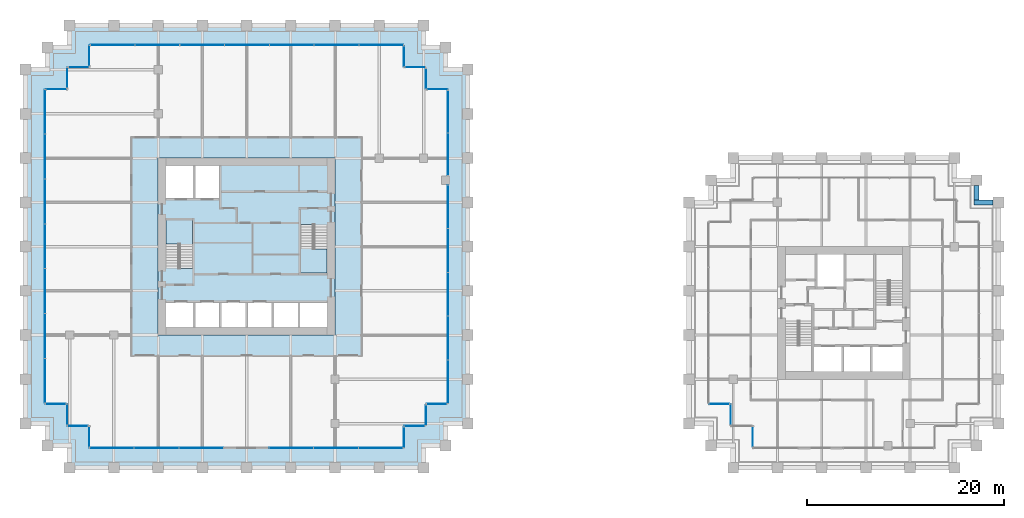
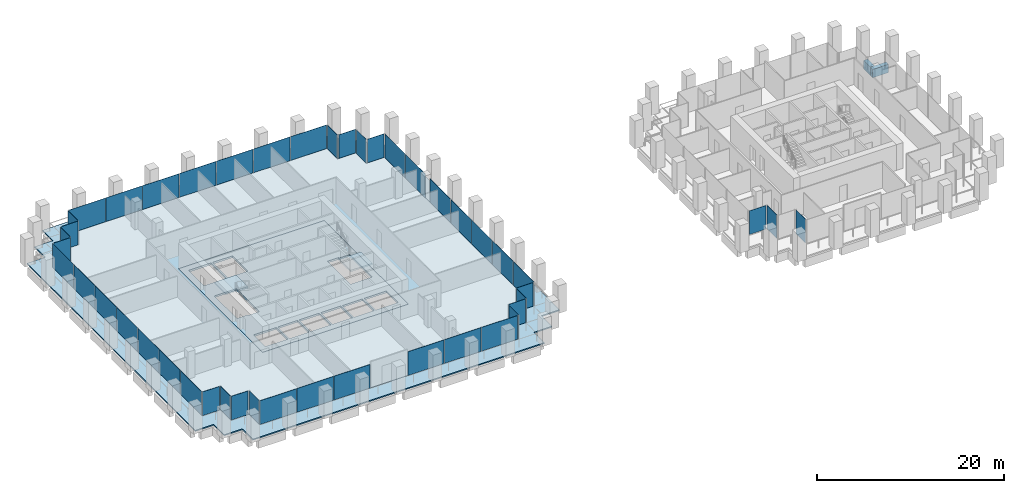
# One storey, part 48 of 56: 46 plates, 5 slabs, 2 beams, 27 elements without a shape of their own.
"""IFC4 building model written with IfcOpenShell, lengths in metres."""

from ifc_helpers import new_model, si_unit, direction, frame, origin, origin_2d, place, context, subcontext, project, spatial, polyline, rectangle, outline, extrude, material, layer, layer_set, material_profile, profile_set, type_object, element, aggregate, save


model = new_model("IFC4")

# Units and contexts
model_context = context("Model", 3, precision=1e-05, world=origin(), true_north=direction((0.0, 1.0)))
body_context = subcontext(model_context, "Body", "Model", "MODEL_VIEW")
ifc_project = project(units=[si_unit("LENGTHUNIT", "METRE"), si_unit("AREAUNIT", "SQUARE_METRE"), si_unit("VOLUMEUNIT", "CUBIC_METRE"), si_unit("PLANEANGLEUNIT", "RADIAN"), si_unit("MASSUNIT", "GRAM", prefix="KILO")], contexts=[model_context])

# Site, building, storey
site_placement = place(None, origin())
site = spatial("IfcSite", under=ifc_project, at=site_placement, CompositionType="ELEMENT")
building_placement = place(site_placement, origin())
building = spatial("IfcBuilding", under=site, at=building_placement, Name="Altepetl Exchange Towers", CompositionType="ELEMENT")
storey_placement = place(building_placement, frame((0.0, 0.0, 51.0)))
storey = spatial("IfcBuildingStorey", under=building, at=storey_placement, Name="L11", CompositionType="ELEMENT", Elevation=51.0)

# Beams
ifc_material_1 = material(Name="Concrete C50/60 precast with cantera amarilla facing", Category="concrete")
ifc_material_profile = material_profile(ifc_material_1, rectangle(XDim=0.5, YDim=1.10009765625, at=origin_2d()), Name="500 x 1100")
ifc_profile_set = profile_set([ifc_material_profile], Name="Concrete C50/60 precast with cantera amarilla facing")
beam_type = type_object("IfcBeamType", Name="Spandrel beam 500x1100 cantera amarilla", PredefinedType="SPANDREL", material=ifc_profile_set)
beam_1_placement = place(storey_placement, frame((125.449951171875, 54.0, -0.699951171875), z_axis=(-1.0, 0.0, 0.0), x_axis=(0.0, -1.0, 0.0)))
element("IfcBeam", 1, at=beam_1_placement, inside=storey, type_object=beam_type, Name="sp:B:L11:014", PredefinedType="SPANDREL", context=body_context, shape_type="SweptSolid", body=[
    extrude(rectangle(XDim=0.5, YDim=1.10009765625, at=origin_2d()), origin(), (0.0, 0.0, 1.0), 1.949951171875),
])
beam_2_placement = place(storey_placement, frame((123.75, 54.25, -0.699951171875), z_axis=(0.0, 1.0, 0.0), x_axis=(-1.0, 0.0, 0.0)))
element("IfcBeam", 2, at=beam_2_placement, inside=storey, type_object=beam_type, Name="sp:B:L11:015", PredefinedType="SPANDREL", context=body_context, shape_type="SweptSolid", body=[
    extrude(rectangle(XDim=0.5, YDim=1.10009765625, at=origin_2d()), origin(), (0.0, 0.0, 1.0), 1.449951171875),
])

# Slabs
ifc_material_2 = material(Name="Concrete C40/50", Category="concrete")
ifc_layer_1 = layer(ifc_material_2, 0.14990234375)
ifc_layer_set_1 = layer_set([ifc_layer_1], Name="Concrete C40/50")
slab_type_1 = type_object("IfcSlabType", Name="Composite floor slab 150", PredefinedType="FLOOR", material=ifc_layer_set_1)
slab_1_placement = place(storey_placement, frame((0.0, 0.0, -0.14990234375)))
element("IfcSlab", 3, at=slab_1_placement, inside=storey, type_object=slab_type_1, Name="slab:A:L11:strip0", PredefinedType="FLOOR", context=body_context, shape_type="SweptSolid", body=[
    extrude(outline(polyline([(31.25, 67.75), (31.25, 65.5), (29.0, 65.5), (29.0, 33.5), (31.25, 33.5), (31.25, 31.25), (33.5, 31.25), (33.5, 29.0), (65.5, 29.0), (65.5, 31.25), (67.75, 31.25), (67.75, 33.5), (70.0, 33.5), (70.0, 65.5), (67.75, 65.5), (67.75, 67.75), (65.5, 67.75), (65.5, 70.0), (33.5, 70.0), (33.5, 67.75), (31.25, 67.75)]), holes=[polyline([(58.5, 58.5), (58.5, 40.5), (40.5, 40.5), (40.5, 58.5), (58.5, 58.5)])]), origin(), (0.0, 0.0, 1.0), 0.14990234375),
])
ifc_layer_2 = layer(ifc_material_2, 0.25)
ifc_layer_set_2 = layer_set([ifc_layer_2], Name="Concrete C40/50")
slab_type_2 = type_object("IfcSlabType", Name="Core floor slab 250", PredefinedType="FLOOR", material=ifc_layer_set_2)
slab_2_placement = place(storey_placement, frame((0.0, 0.0, -0.25)))
element("IfcSlab", 4, at=slab_2_placement, inside=storey, type_object=slab_type_2, Name="slab:A:L11:core0", PredefinedType="FLOOR", context=body_context, shape_type="SweptSolid", body=[
    extrude(outline(polyline([(40.5, 40.5), (58.5, 40.5), (58.5, 58.5), (40.5, 58.5), (40.5, 40.5)]), holes=[polyline([(41.300048828125, 43.800048828125), (44.06689453125, 43.800048828125), (44.06689453125, 41.300048828125), (41.300048828125, 41.300048828125), (41.300048828125, 43.800048828125)]), polyline([(44.26708984375, 43.800048828125), (46.73291015625, 43.800048828125), (46.73291015625, 41.300048828125), (44.26708984375, 41.300048828125), (44.26708984375, 43.800048828125)]), polyline([(46.93310546875, 43.800048828125), (49.39990234375, 43.800048828125), (49.39990234375, 41.300048828125), (46.93310546875, 41.300048828125), (46.93310546875, 43.800048828125)]), polyline([(52.06689453125, 43.800048828125), (52.06689453125, 41.300048828125), (49.60009765625, 41.300048828125), (49.60009765625, 43.800048828125), (52.06689453125, 43.800048828125)]), polyline([(54.73291015625, 43.800048828125), (54.73291015625, 41.300048828125), (52.26708984375, 41.300048828125), (52.26708984375, 43.800048828125), (54.73291015625, 43.800048828125)]), polyline([(54.93310546875, 43.800048828125), (57.699951171875, 43.800048828125), (57.699951171875, 41.300048828125), (54.93310546875, 41.300048828125), (54.93310546875, 43.800048828125)]), polyline([(55.0, 51.7490234375), (56.39990234375, 51.7490234375), (56.39990234375, 51.64990234375), (57.699951171875, 51.64990234375), (57.699951171875, 46.800048828125), (55.0, 46.800048828125), (55.0, 51.7490234375)]), polyline([(44.0, 47.2509765625), (42.60009765625, 47.2509765625), (42.60009765625, 47.35009765625), (41.300048828125, 47.35009765625), (41.300048828125, 52.199951171875), (44.0, 52.199951171875), (44.0, 47.2509765625)]), polyline([(44.06689453125, 57.699951171875), (44.06689453125, 54.39990234375), (41.300048828125, 54.39990234375), (41.300048828125, 57.699951171875), (44.06689453125, 57.699951171875)]), polyline([(46.73291015625, 57.699951171875), (46.73291015625, 54.39990234375), (44.26708984375, 54.39990234375), (44.26708984375, 57.699951171875), (46.73291015625, 57.699951171875)])]), origin(), (0.0, 0.0, 1.0), 0.25),
])

# Curtain wall, plate
ifc_material_3 = material(Name="Aluminium 6063-T6 glazing", Category="aluminium")
curtain_wall_type = type_object("IfcCurtainWallType", Name="Loggia glazing system", PredefinedType="NOTDEFINED", material=ifc_material_3)
curtain_wall_1_placement = place(storey_placement, origin())
curtain_wall_1 = element("IfcCurtainWall", 5, at=curtain_wall_1_placement, inside=storey, type_object=curtain_wall_type, Name="CW1 run", PredefinedType="NOTDEFINED")
ifc_material_4 = material(Name="Glass 6-16-6 low emissivity", Category="glass")
ifc_layer_3 = layer(ifc_material_4, 0.028076171875)
ifc_layer_set_3 = layer_set([ifc_layer_3], Name="Glass 6-16-6 low emissivity")
plate_type = type_object("IfcPlateType", Name="Glass panel 28 double glazed", PredefinedType="CURTAIN_PANEL", material=ifc_layer_set_3)
plate_1_placement = place(storey_placement, frame((30.16259765625, 65.5, 0.0), z_axis=(0.0, 0.0, 1.0), x_axis=(-1.0, 0.0, 0.0)))
plate_1 = element("IfcPlate", 6, at=plate_1_placement, type_object=plate_type, Name="GP1 panel", PredefinedType="CURTAIN_PANEL", context=body_context, shape_type="SweptSolid", body=[
    extrude(rectangle(XDim=2.054931640625, YDim=0.028076171875, at=origin_2d()), origin(), (0.0, 0.0, 1.0), 3.10009765625),
])
aggregate(curtain_wall_1, [plate_1])

# Curtain wall, plates
curtain_wall_2_placement = place(storey_placement, origin())
curtain_wall_2 = element("IfcCurtainWall", 7, at=curtain_wall_2_placement, inside=storey, type_object=curtain_wall_type, Name="CW1 run", PredefinedType="NOTDEFINED")
plate_2_placement = place(storey_placement, frame((29.0, 63.20458984375, 0.0), z_axis=(0.0, 0.0, 1.0), x_axis=(0.0, -1.0, 0.0)))
plate_2 = element("IfcPlate", 8, at=plate_2_placement, type_object=plate_type, Name="GP1 panel", PredefinedType="CURTAIN_PANEL", context=body_context, shape_type="SweptSolid", body=[
    extrude(rectangle(XDim=4.470703125, YDim=0.028076171875, at=origin_2d()), origin(), (0.0, 0.0, 1.0), 3.10009765625),
])
plate_3_placement = place(storey_placement, frame((29.0, 58.658935546875, 0.0), z_axis=(0.0, 0.0, 1.0), x_axis=(0.0, -1.0, 0.0)))
plate_3 = element("IfcPlate", 9, at=plate_3_placement, type_object=plate_type, Name="GP1 panel", PredefinedType="CURTAIN_PANEL", context=body_context, shape_type="SweptSolid", body=[
    extrude(rectangle(XDim=4.500732421875, YDim=0.028076171875, at=origin_2d()), origin(), (0.0, 0.0, 1.0), 3.10009765625),
])
plate_4_placement = place(storey_placement, frame((29.0, 54.09814453125, 0.0), z_axis=(0.0, 0.0, 1.0), x_axis=(0.0, -1.0, 0.0)))
plate_4 = element("IfcPlate", 10, at=plate_4_placement, type_object=plate_type, Name="GP1 panel", PredefinedType="CURTAIN_PANEL", context=body_context, shape_type="SweptSolid", body=[
    extrude(rectangle(XDim=4.500732421875, YDim=0.028076171875, at=origin_2d()), origin(), (0.0, 0.0, 1.0), 3.10009765625),
])
plate_5_placement = place(storey_placement, frame((29.0, 49.53759765625, 0.0), z_axis=(0.0, 0.0, 1.0), x_axis=(0.0, -1.0, 0.0)))
plate_5 = element("IfcPlate", 11, at=plate_5_placement, type_object=plate_type, Name="GP1 panel", PredefinedType="CURTAIN_PANEL", context=body_context, shape_type="SweptSolid", body=[
    extrude(rectangle(XDim=4.500732421875, YDim=0.028076171875, at=origin_2d()), origin(), (0.0, 0.0, 1.0), 3.10009765625),
])
plate_6_placement = place(storey_placement, frame((29.0, 44.976806640625, 0.0), z_axis=(0.0, 0.0, 1.0), x_axis=(0.0, -1.0, 0.0)))
plate_6 = element("IfcPlate", 12, at=plate_6_placement, type_object=plate_type, Name="GP1 panel", PredefinedType="CURTAIN_PANEL", context=body_context, shape_type="SweptSolid", body=[
    extrude(rectangle(XDim=4.500732421875, YDim=0.028076171875, at=origin_2d()), origin(), (0.0, 0.0, 1.0), 3.10009765625),
])
plate_7_placement = place(storey_placement, frame((29.0, 40.416015625, 0.0), z_axis=(0.0, 0.0, 1.0), x_axis=(0.0, -1.0, 0.0)))
plate_7 = element("IfcPlate", 13, at=plate_7_placement, type_object=plate_type, Name="GP1 panel", PredefinedType="CURTAIN_PANEL", context=body_context, shape_type="SweptSolid", body=[
    extrude(rectangle(XDim=4.500732421875, YDim=0.028076171875, at=origin_2d()), origin(), (0.0, 0.0, 1.0), 3.10009765625),
])
plate_8_placement = place(storey_placement, frame((29.0, 35.870361328125, 0.0), z_axis=(0.0, 0.0, 1.0), x_axis=(0.0, -1.0, 0.0)))
plate_8 = element("IfcPlate", 14, at=plate_8_placement, type_object=plate_type, Name="GP1 panel", PredefinedType="CURTAIN_PANEL", context=body_context, shape_type="SweptSolid", body=[
    extrude(rectangle(XDim=4.470703125, YDim=0.028076171875, at=origin_2d()), origin(), (0.0, 0.0, 1.0), 3.10009765625),
])
aggregate(curtain_wall_2, [plate_2, plate_3, plate_4, plate_5, plate_6, plate_7, plate_8])

# Curtain wall, plate
curtain_wall_3_placement = place(storey_placement, origin())
curtain_wall_3 = element("IfcCurtainWall", 15, at=curtain_wall_3_placement, inside=storey, type_object=curtain_wall_type, Name="CW1 run", PredefinedType="NOTDEFINED")
plate_9_placement = place(storey_placement, frame((30.08740234375, 33.5, 0.0)))
plate_9 = element("IfcPlate", 16, at=plate_9_placement, type_object=plate_type, Name="GP1 panel", PredefinedType="CURTAIN_PANEL", context=body_context, shape_type="SweptSolid", body=[
    extrude(rectangle(XDim=2.054931640625, YDim=0.028076171875, at=origin_2d()), origin(), (0.0, 0.0, 1.0), 3.10009765625),
])
aggregate(curtain_wall_3, [plate_9])

curtain_wall_4_placement = place(storey_placement, origin())
curtain_wall_4 = element("IfcCurtainWall", 17, at=curtain_wall_4_placement, inside=storey, type_object=curtain_wall_type, Name="CW1 run", PredefinedType="NOTDEFINED")
plate_10_placement = place(storey_placement, frame((31.25, 32.41259765625, 0.0), z_axis=(0.0, 0.0, 1.0), x_axis=(0.0, -1.0, 0.0)))
plate_10 = element("IfcPlate", 18, at=plate_10_placement, type_object=plate_type, Name="GP1 panel", PredefinedType="CURTAIN_PANEL", context=body_context, shape_type="SweptSolid", body=[
    extrude(rectangle(XDim=2.054931640625, YDim=0.028076171875, at=origin_2d()), origin(), (0.0, 0.0, 1.0), 3.10009765625),
])
aggregate(curtain_wall_4, [plate_10])

curtain_wall_5_placement = place(storey_placement, origin())
curtain_wall_5 = element("IfcCurtainWall", 19, at=curtain_wall_5_placement, inside=storey, type_object=curtain_wall_type, Name="CW1 run", PredefinedType="NOTDEFINED")
plate_11_placement = place(storey_placement, frame((32.33740234375, 31.25, 0.0)))
plate_11 = element("IfcPlate", 20, at=plate_11_placement, type_object=plate_type, Name="GP1 panel", PredefinedType="CURTAIN_PANEL", context=body_context, shape_type="SweptSolid", body=[
    extrude(rectangle(XDim=2.054931640625, YDim=0.028076171875, at=origin_2d()), origin(), (0.0, 0.0, 1.0), 3.10009765625),
])
aggregate(curtain_wall_5, [plate_11])

curtain_wall_6_placement = place(storey_placement, origin())
curtain_wall_6 = element("IfcCurtainWall", 21, at=curtain_wall_6_placement, inside=storey, type_object=curtain_wall_type, Name="CW1 run", PredefinedType="NOTDEFINED")
plate_12_placement = place(storey_placement, frame((33.5, 30.16259765625, 0.0), z_axis=(0.0, 0.0, 1.0), x_axis=(0.0, -1.0, 0.0)))
plate_12 = element("IfcPlate", 22, at=plate_12_placement, type_object=plate_type, Name="GP1 panel", PredefinedType="CURTAIN_PANEL", context=body_context, shape_type="SweptSolid", body=[
    extrude(rectangle(XDim=2.054931640625, YDim=0.028076171875, at=origin_2d()), origin(), (0.0, 0.0, 1.0), 3.10009765625),
])
aggregate(curtain_wall_6, [plate_12])

# Curtain wall, plates
curtain_wall_7_placement = place(storey_placement, origin())
curtain_wall_7 = element("IfcCurtainWall", 23, at=curtain_wall_7_placement, inside=storey, type_object=curtain_wall_type, Name="CW1 run", PredefinedType="NOTDEFINED")
plate_13_placement = place(storey_placement, frame((35.79541015625, 29.0, 0.0)))
plate_13 = element("IfcPlate", 24, at=plate_13_placement, type_object=plate_type, Name="GP1 panel", PredefinedType="CURTAIN_PANEL", context=body_context, shape_type="SweptSolid", body=[
    extrude(rectangle(XDim=4.470703125, YDim=0.028076171875, at=origin_2d()), origin(), (0.0, 0.0, 1.0), 3.10009765625),
])
plate_14_placement = place(storey_placement, frame((40.341064453125, 29.0, 0.0)))
plate_14 = element("IfcPlate", 25, at=plate_14_placement, type_object=plate_type, Name="GP1 panel", PredefinedType="CURTAIN_PANEL", context=body_context, shape_type="SweptSolid", body=[
    extrude(rectangle(XDim=4.500732421875, YDim=0.028076171875, at=origin_2d()), origin(), (0.0, 0.0, 1.0), 3.10009765625),
])
plate_15_placement = place(storey_placement, frame((44.88671875, 29.0, 0.0)))
plate_15 = element("IfcPlate", 26, at=plate_15_placement, type_object=plate_type, Name="GP1 panel", PredefinedType="CURTAIN_PANEL", context=body_context, shape_type="SweptSolid", body=[
    extrude(rectangle(XDim=4.470703125, YDim=0.028076171875, at=origin_2d()), origin(), (0.0, 0.0, 1.0), 3.10009765625),
])
aggregate(curtain_wall_7, [plate_13, plate_14, plate_15])

curtain_wall_8_placement = place(storey_placement, origin())
curtain_wall_8 = element("IfcCurtainWall", 27, at=curtain_wall_8_placement, inside=storey, type_object=curtain_wall_type, Name="CW1 run", PredefinedType="NOTDEFINED")
plate_16_placement = place(storey_placement, frame((54.038330078125, 29.0, 0.0)))
plate_16 = element("IfcPlate", 28, at=plate_16_placement, type_object=plate_type, Name="GP1 panel", PredefinedType="CURTAIN_PANEL", context=body_context, shape_type="SweptSolid", body=[
    extrude(rectangle(XDim=4.470703125, YDim=0.028076171875, at=origin_2d()), origin(), (0.0, 0.0, 1.0), 3.10009765625),
])
plate_17_placement = place(storey_placement, frame((58.583984375, 29.0, 0.0)))
plate_17 = element("IfcPlate", 29, at=plate_17_placement, type_object=plate_type, Name="GP1 panel", PredefinedType="CURTAIN_PANEL", context=body_context, shape_type="SweptSolid", body=[
    extrude(rectangle(XDim=4.500732421875, YDim=0.028076171875, at=origin_2d()), origin(), (0.0, 0.0, 1.0), 3.10009765625),
])
plate_18_placement = place(storey_placement, frame((63.129638671875, 29.0, 0.0)))
plate_18 = element("IfcPlate", 30, at=plate_18_placement, type_object=plate_type, Name="GP1 panel", PredefinedType="CURTAIN_PANEL", context=body_context, shape_type="SweptSolid", body=[
    extrude(rectangle(XDim=4.470703125, YDim=0.028076171875, at=origin_2d()), origin(), (0.0, 0.0, 1.0), 3.10009765625),
])
aggregate(curtain_wall_8, [plate_16, plate_17, plate_18])

# Curtain wall, plate
curtain_wall_9_placement = place(storey_placement, origin())
curtain_wall_9 = element("IfcCurtainWall", 31, at=curtain_wall_9_placement, inside=storey, type_object=curtain_wall_type, Name="CW1 run", PredefinedType="NOTDEFINED")
plate_19_placement = place(storey_placement, frame((65.5, 30.08740234375, 0.0), z_axis=(0.0, 0.0, 1.0), x_axis=(0.0, 1.0, 0.0)))
plate_19 = element("IfcPlate", 32, at=plate_19_placement, type_object=plate_type, Name="GP1 panel", PredefinedType="CURTAIN_PANEL", context=body_context, shape_type="SweptSolid", body=[
    extrude(rectangle(XDim=2.054931640625, YDim=0.028076171875, at=origin_2d()), origin(), (0.0, 0.0, 1.0), 3.10009765625),
])
aggregate(curtain_wall_9, [plate_19])

curtain_wall_10_placement = place(storey_placement, origin())
curtain_wall_10 = element("IfcCurtainWall", 33, at=curtain_wall_10_placement, inside=storey, type_object=curtain_wall_type, Name="CW1 run", PredefinedType="NOTDEFINED")
plate_20_placement = place(storey_placement, frame((66.58740234375, 31.25, 0.0)))
plate_20 = element("IfcPlate", 34, at=plate_20_placement, type_object=plate_type, Name="GP1 panel", PredefinedType="CURTAIN_PANEL", context=body_context, shape_type="SweptSolid", body=[
    extrude(rectangle(XDim=2.054931640625, YDim=0.028076171875, at=origin_2d()), origin(), (0.0, 0.0, 1.0), 3.10009765625),
])
aggregate(curtain_wall_10, [plate_20])

curtain_wall_11_placement = place(storey_placement, origin())
curtain_wall_11 = element("IfcCurtainWall", 35, at=curtain_wall_11_placement, inside=storey, type_object=curtain_wall_type, Name="CW1 run", PredefinedType="NOTDEFINED")
plate_21_placement = place(storey_placement, frame((67.75, 32.33740234375, 0.0), z_axis=(0.0, 0.0, 1.0), x_axis=(0.0, 1.0, 0.0)))
plate_21 = element("IfcPlate", 36, at=plate_21_placement, type_object=plate_type, Name="GP1 panel", PredefinedType="CURTAIN_PANEL", context=body_context, shape_type="SweptSolid", body=[
    extrude(rectangle(XDim=2.054931640625, YDim=0.028076171875, at=origin_2d()), origin(), (0.0, 0.0, 1.0), 3.10009765625),
])
aggregate(curtain_wall_11, [plate_21])

curtain_wall_12_placement = place(storey_placement, origin())
curtain_wall_12 = element("IfcCurtainWall", 37, at=curtain_wall_12_placement, inside=storey, type_object=curtain_wall_type, Name="CW1 run", PredefinedType="NOTDEFINED")
plate_22_placement = place(storey_placement, frame((68.83740234375, 33.5, 0.0)))
plate_22 = element("IfcPlate", 38, at=plate_22_placement, type_object=plate_type, Name="GP1 panel", PredefinedType="CURTAIN_PANEL", context=body_context, shape_type="SweptSolid", body=[
    extrude(rectangle(XDim=2.054931640625, YDim=0.028076171875, at=origin_2d()), origin(), (0.0, 0.0, 1.0), 3.10009765625),
])
aggregate(curtain_wall_12, [plate_22])

# Curtain wall, plates
curtain_wall_13_placement = place(storey_placement, origin())
curtain_wall_13 = element("IfcCurtainWall", 39, at=curtain_wall_13_placement, inside=storey, type_object=curtain_wall_type, Name="CW1 run", PredefinedType="NOTDEFINED")
plate_23_placement = place(storey_placement, frame((70.0, 35.74560546875, 0.0), z_axis=(0.0, 0.0, 1.0), x_axis=(0.0, 1.0, 0.0)))
plate_23 = element("IfcPlate", 40, at=plate_23_placement, type_object=plate_type, Name="GP1 panel", PredefinedType="CURTAIN_PANEL", context=body_context, shape_type="SweptSolid", body=[
    extrude(rectangle(XDim=4.37109375, YDim=0.028076171875, at=origin_2d()), origin(), (0.0, 0.0, 1.0), 3.10009765625),
])
plate_24_placement = place(storey_placement, frame((70.0, 40.19140625, 0.0), z_axis=(0.0, 0.0, 1.0), x_axis=(0.0, 1.0, 0.0)))
plate_24 = element("IfcPlate", 41, at=plate_24_placement, type_object=plate_type, Name="GP1 panel", PredefinedType="CURTAIN_PANEL", context=body_context, shape_type="SweptSolid", body=[
    extrude(rectangle(XDim=4.40087890625, YDim=0.028076171875, at=origin_2d()), origin(), (0.0, 0.0, 1.0), 3.10009765625),
])
plate_25_placement = place(storey_placement, frame((70.0, 44.652587890625, 0.0), z_axis=(0.0, 0.0, 1.0), x_axis=(0.0, 1.0, 0.0)))
plate_25 = element("IfcPlate", 42, at=plate_25_placement, type_object=plate_type, Name="GP1 panel", PredefinedType="CURTAIN_PANEL", context=body_context, shape_type="SweptSolid", body=[
    extrude(rectangle(XDim=4.40087890625, YDim=0.028076171875, at=origin_2d()), origin(), (0.0, 0.0, 1.0), 3.10009765625),
])
plate_26_placement = place(storey_placement, frame((70.0, 49.113525390625, 0.0), z_axis=(0.0, 0.0, 1.0), x_axis=(0.0, 1.0, 0.0)))
plate_26 = element("IfcPlate", 43, at=plate_26_placement, type_object=plate_type, Name="GP1 panel", PredefinedType="CURTAIN_PANEL", context=body_context, shape_type="SweptSolid", body=[
    extrude(rectangle(XDim=4.40087890625, YDim=0.028076171875, at=origin_2d()), origin(), (0.0, 0.0, 1.0), 3.10009765625),
])
plate_27_placement = place(storey_placement, frame((70.0, 53.5595703125, 0.0), z_axis=(0.0, 0.0, 1.0), x_axis=(0.0, 1.0, 0.0)))
plate_27 = element("IfcPlate", 44, at=plate_27_placement, type_object=plate_type, Name="GP1 panel", PredefinedType="CURTAIN_PANEL", context=body_context, shape_type="SweptSolid", body=[
    extrude(rectangle(XDim=4.37109375, YDim=0.028076171875, at=origin_2d()), origin(), (0.0, 0.0, 1.0), 3.10009765625),
])
aggregate(curtain_wall_13, [plate_23, plate_24, plate_25, plate_26, plate_27])

curtain_wall_14_placement = place(storey_placement, origin())
curtain_wall_14 = element("IfcCurtainWall", 45, at=curtain_wall_14_placement, inside=storey, type_object=curtain_wall_type, Name="CW1 run", PredefinedType="NOTDEFINED")
plate_28_placement = place(storey_placement, frame((70.0, 58.892578125, 0.0), z_axis=(0.0, 0.0, 1.0), x_axis=(0.0, 1.0, 0.0)))
plate_28 = element("IfcPlate", 46, at=plate_28_placement, type_object=plate_type, Name="GP1 panel", PredefinedType="CURTAIN_PANEL", context=body_context, shape_type="SweptSolid", body=[
    extrude(rectangle(XDim=4.27490234375, YDim=0.028076171875, at=origin_2d()), origin(), (0.0, 0.0, 1.0), 3.10009765625),
])
plate_29_placement = place(storey_placement, frame((70.0, 63.2275390625, 0.0), z_axis=(0.0, 0.0, 1.0), x_axis=(0.0, 1.0, 0.0)))
plate_29 = element("IfcPlate", 47, at=plate_29_placement, type_object=plate_type, Name="GP1 panel", PredefinedType="CURTAIN_PANEL", context=body_context, shape_type="SweptSolid", body=[
    extrude(rectangle(XDim=4.27490234375, YDim=0.028076171875, at=origin_2d()), origin(), (0.0, 0.0, 1.0), 3.10009765625),
])
aggregate(curtain_wall_14, [plate_28, plate_29])

# Curtain wall, plate
curtain_wall_15_placement = place(storey_placement, origin())
curtain_wall_15 = element("IfcCurtainWall", 48, at=curtain_wall_15_placement, inside=storey, type_object=curtain_wall_type, Name="CW1 run", PredefinedType="NOTDEFINED")
plate_30_placement = place(storey_placement, frame((68.91259765625, 65.5, 0.0), z_axis=(0.0, 0.0, 1.0), x_axis=(-1.0, 0.0, 0.0)))
plate_30 = element("IfcPlate", 49, at=plate_30_placement, type_object=plate_type, Name="GP1 panel", PredefinedType="CURTAIN_PANEL", context=body_context, shape_type="SweptSolid", body=[
    extrude(rectangle(XDim=2.054931640625, YDim=0.028076171875, at=origin_2d()), origin(), (0.0, 0.0, 1.0), 3.10009765625),
])
aggregate(curtain_wall_15, [plate_30])

curtain_wall_16_placement = place(storey_placement, origin())
curtain_wall_16 = element("IfcCurtainWall", 50, at=curtain_wall_16_placement, inside=storey, type_object=curtain_wall_type, Name="CW1 run", PredefinedType="NOTDEFINED")
plate_31_placement = place(storey_placement, frame((67.75, 66.58740234375, 0.0), z_axis=(0.0, 0.0, 1.0), x_axis=(0.0, 1.0, 0.0)))
plate_31 = element("IfcPlate", 51, at=plate_31_placement, type_object=plate_type, Name="GP1 panel", PredefinedType="CURTAIN_PANEL", context=body_context, shape_type="SweptSolid", body=[
    extrude(rectangle(XDim=2.054931640625, YDim=0.028076171875, at=origin_2d()), origin(), (0.0, 0.0, 1.0), 3.10009765625),
])
aggregate(curtain_wall_16, [plate_31])

curtain_wall_17_placement = place(storey_placement, origin())
curtain_wall_17 = element("IfcCurtainWall", 52, at=curtain_wall_17_placement, inside=storey, type_object=curtain_wall_type, Name="CW1 run", PredefinedType="NOTDEFINED")
plate_32_placement = place(storey_placement, frame((66.66259765625, 67.75, 0.0), z_axis=(0.0, 0.0, 1.0), x_axis=(-1.0, 0.0, 0.0)))
plate_32 = element("IfcPlate", 53, at=plate_32_placement, type_object=plate_type, Name="GP1 panel", PredefinedType="CURTAIN_PANEL", context=body_context, shape_type="SweptSolid", body=[
    extrude(rectangle(XDim=2.054931640625, YDim=0.028076171875, at=origin_2d()), origin(), (0.0, 0.0, 1.0), 3.10009765625),
])
aggregate(curtain_wall_17, [plate_32])

curtain_wall_18_placement = place(storey_placement, origin())
curtain_wall_18 = element("IfcCurtainWall", 54, at=curtain_wall_18_placement, inside=storey, type_object=curtain_wall_type, Name="CW1 run", PredefinedType="NOTDEFINED")
plate_33_placement = place(storey_placement, frame((65.5, 68.83740234375, 0.0), z_axis=(0.0, 0.0, 1.0), x_axis=(0.0, 1.0, 0.0)))
plate_33 = element("IfcPlate", 55, at=plate_33_placement, type_object=plate_type, Name="GP1 panel", PredefinedType="CURTAIN_PANEL", context=body_context, shape_type="SweptSolid", body=[
    extrude(rectangle(XDim=2.054931640625, YDim=0.028076171875, at=origin_2d()), origin(), (0.0, 0.0, 1.0), 3.10009765625),
])
aggregate(curtain_wall_18, [plate_33])

# Curtain wall, plates
curtain_wall_19_placement = place(storey_placement, origin())
curtain_wall_19 = element("IfcCurtainWall", 56, at=curtain_wall_19_placement, inside=storey, type_object=curtain_wall_type, Name="CW1 run", PredefinedType="NOTDEFINED")
plate_34_placement = place(storey_placement, frame((63.20458984375, 70.0, 0.0), z_axis=(0.0, 0.0, 1.0), x_axis=(-1.0, 0.0, 0.0)))
plate_34 = element("IfcPlate", 57, at=plate_34_placement, type_object=plate_type, Name="GP1 panel", PredefinedType="CURTAIN_PANEL", context=body_context, shape_type="SweptSolid", body=[
    extrude(rectangle(XDim=4.470703125, YDim=0.028076171875, at=origin_2d()), origin(), (0.0, 0.0, 1.0), 3.10009765625),
])
plate_35_placement = place(storey_placement, frame((58.658935546875, 70.0, 0.0), z_axis=(0.0, 0.0, 1.0), x_axis=(-1.0, 0.0, 0.0)))
plate_35 = element("IfcPlate", 58, at=plate_35_placement, type_object=plate_type, Name="GP1 panel", PredefinedType="CURTAIN_PANEL", context=body_context, shape_type="SweptSolid", body=[
    extrude(rectangle(XDim=4.500732421875, YDim=0.028076171875, at=origin_2d()), origin(), (0.0, 0.0, 1.0), 3.10009765625),
])
plate_36_placement = place(storey_placement, frame((54.09814453125, 70.0, 0.0), z_axis=(0.0, 0.0, 1.0), x_axis=(-1.0, 0.0, 0.0)))
plate_36 = element("IfcPlate", 59, at=plate_36_placement, type_object=plate_type, Name="GP1 panel", PredefinedType="CURTAIN_PANEL", context=body_context, shape_type="SweptSolid", body=[
    extrude(rectangle(XDim=4.500732421875, YDim=0.028076171875, at=origin_2d()), origin(), (0.0, 0.0, 1.0), 3.10009765625),
])
plate_37_placement = place(storey_placement, frame((49.53759765625, 70.0, 0.0), z_axis=(0.0, 0.0, 1.0), x_axis=(-1.0, 0.0, 0.0)))
plate_37 = element("IfcPlate", 60, at=plate_37_placement, type_object=plate_type, Name="GP1 panel", PredefinedType="CURTAIN_PANEL", context=body_context, shape_type="SweptSolid", body=[
    extrude(rectangle(XDim=4.500732421875, YDim=0.028076171875, at=origin_2d()), origin(), (0.0, 0.0, 1.0), 3.10009765625),
])
plate_38_placement = place(storey_placement, frame((44.976806640625, 70.0, 0.0), z_axis=(0.0, 0.0, 1.0), x_axis=(-1.0, 0.0, 0.0)))
plate_38 = element("IfcPlate", 61, at=plate_38_placement, type_object=plate_type, Name="GP1 panel", PredefinedType="CURTAIN_PANEL", context=body_context, shape_type="SweptSolid", body=[
    extrude(rectangle(XDim=4.500732421875, YDim=0.028076171875, at=origin_2d()), origin(), (0.0, 0.0, 1.0), 3.10009765625),
])
plate_39_placement = place(storey_placement, frame((40.416015625, 70.0, 0.0), z_axis=(0.0, 0.0, 1.0), x_axis=(-1.0, 0.0, 0.0)))
plate_39 = element("IfcPlate", 62, at=plate_39_placement, type_object=plate_type, Name="GP1 panel", PredefinedType="CURTAIN_PANEL", context=body_context, shape_type="SweptSolid", body=[
    extrude(rectangle(XDim=4.500732421875, YDim=0.028076171875, at=origin_2d()), origin(), (0.0, 0.0, 1.0), 3.10009765625),
])
plate_40_placement = place(storey_placement, frame((35.870361328125, 70.0, 0.0), z_axis=(0.0, 0.0, 1.0), x_axis=(-1.0, 0.0, 0.0)))
plate_40 = element("IfcPlate", 63, at=plate_40_placement, type_object=plate_type, Name="GP1 panel", PredefinedType="CURTAIN_PANEL", context=body_context, shape_type="SweptSolid", body=[
    extrude(rectangle(XDim=4.470703125, YDim=0.028076171875, at=origin_2d()), origin(), (0.0, 0.0, 1.0), 3.10009765625),
])
aggregate(curtain_wall_19, [plate_34, plate_35, plate_36, plate_37, plate_38, plate_39, plate_40])

# Curtain wall, plate
curtain_wall_20_placement = place(storey_placement, origin())
curtain_wall_20 = element("IfcCurtainWall", 64, at=curtain_wall_20_placement, inside=storey, type_object=curtain_wall_type, Name="CW1 run", PredefinedType="NOTDEFINED")
plate_41_placement = place(storey_placement, frame((33.5, 68.91259765625, 0.0), z_axis=(0.0, 0.0, 1.0), x_axis=(0.0, -1.0, 0.0)))
plate_41 = element("IfcPlate", 65, at=plate_41_placement, type_object=plate_type, Name="GP1 panel", PredefinedType="CURTAIN_PANEL", context=body_context, shape_type="SweptSolid", body=[
    extrude(rectangle(XDim=2.054931640625, YDim=0.028076171875, at=origin_2d()), origin(), (0.0, 0.0, 1.0), 3.10009765625),
])
aggregate(curtain_wall_20, [plate_41])

curtain_wall_21_placement = place(storey_placement, origin())
curtain_wall_21 = element("IfcCurtainWall", 66, at=curtain_wall_21_placement, inside=storey, type_object=curtain_wall_type, Name="CW1 run", PredefinedType="NOTDEFINED")
plate_42_placement = place(storey_placement, frame((32.41259765625, 67.75, 0.0), z_axis=(0.0, 0.0, 1.0), x_axis=(-1.0, 0.0, 0.0)))
plate_42 = element("IfcPlate", 67, at=plate_42_placement, type_object=plate_type, Name="GP1 panel", PredefinedType="CURTAIN_PANEL", context=body_context, shape_type="SweptSolid", body=[
    extrude(rectangle(XDim=2.054931640625, YDim=0.028076171875, at=origin_2d()), origin(), (0.0, 0.0, 1.0), 3.10009765625),
])
aggregate(curtain_wall_21, [plate_42])

curtain_wall_22_placement = place(storey_placement, origin())
curtain_wall_22 = element("IfcCurtainWall", 68, at=curtain_wall_22_placement, inside=storey, type_object=curtain_wall_type, Name="CW1 run", PredefinedType="NOTDEFINED")
plate_43_placement = place(storey_placement, frame((31.25, 66.66259765625, 0.0), z_axis=(0.0, 0.0, 1.0), x_axis=(0.0, -1.0, 0.0)))
plate_43 = element("IfcPlate", 69, at=plate_43_placement, type_object=plate_type, Name="GP1 panel", PredefinedType="CURTAIN_PANEL", context=body_context, shape_type="SweptSolid", body=[
    extrude(rectangle(XDim=2.054931640625, YDim=0.028076171875, at=origin_2d()), origin(), (0.0, 0.0, 1.0), 3.10009765625),
])
aggregate(curtain_wall_22, [plate_43])

curtain_wall_23_placement = place(storey_placement, origin())
curtain_wall_23 = element("IfcCurtainWall", 70, at=curtain_wall_23_placement, inside=storey, type_object=curtain_wall_type, Name="CW1 run", PredefinedType="NOTDEFINED")
plate_44_placement = place(storey_placement, frame((97.58740234375, 33.5, 0.0)))
plate_44 = element("IfcPlate", 71, at=plate_44_placement, type_object=plate_type, Name="GP1 panel", PredefinedType="CURTAIN_PANEL", context=body_context, shape_type="SweptSolid", body=[
    extrude(rectangle(XDim=2.054931640625, YDim=0.028076171875, at=origin_2d()), origin(), (0.0, 0.0, 1.0), 3.10009765625),
])
aggregate(curtain_wall_23, [plate_44])

curtain_wall_24_placement = place(storey_placement, origin())
curtain_wall_24 = element("IfcCurtainWall", 72, at=curtain_wall_24_placement, inside=storey, type_object=curtain_wall_type, Name="CW1 run", PredefinedType="NOTDEFINED")
plate_45_placement = place(storey_placement, frame((98.75, 32.41259765625, 0.0), z_axis=(0.0, 0.0, 1.0), x_axis=(0.0, -1.0, 0.0)))
plate_45 = element("IfcPlate", 73, at=plate_45_placement, type_object=plate_type, Name="GP1 panel", PredefinedType="CURTAIN_PANEL", context=body_context, shape_type="SweptSolid", body=[
    extrude(rectangle(XDim=2.054931640625, YDim=0.028076171875, at=origin_2d()), origin(), (0.0, 0.0, 1.0), 3.10009765625),
])
aggregate(curtain_wall_24, [plate_45])

curtain_wall_25_placement = place(storey_placement, origin())
curtain_wall_25 = element("IfcCurtainWall", 74, at=curtain_wall_25_placement, inside=storey, type_object=curtain_wall_type, Name="CW1 run", PredefinedType="NOTDEFINED")
plate_46_placement = place(storey_placement, frame((101.0, 30.16259765625, 0.0), z_axis=(0.0, 0.0, 1.0), x_axis=(0.0, -1.0, 0.0)))
plate_46 = element("IfcPlate", 75, at=plate_46_placement, type_object=plate_type, Name="GP1 panel", PredefinedType="CURTAIN_PANEL", context=body_context, shape_type="SweptSolid", body=[
    extrude(rectangle(XDim=2.054931640625, YDim=0.028076171875, at=origin_2d()), origin(), (0.0, 0.0, 1.0), 3.10009765625),
])
aggregate(curtain_wall_25, [plate_46])

# Slab
ifc_layer_4 = layer(ifc_material_2, 0.14990234375)
ifc_layer_set_4 = layer_set([ifc_layer_4], Name="Concrete C40/50")
slab_type_3 = type_object("IfcSlabType", Name="Loggia slab 150", PredefinedType="FLOOR", material=ifc_layer_set_4)
slab_3_placement = place(storey_placement, frame((0.0, 0.0, -0.14990234375)))
element("IfcSlab", 76, at=slab_3_placement, inside=storey, type_object=slab_type_3, Name="slab:A:L11:loggia0", PredefinedType="FLOOR", context=body_context, shape_type="SweptSolid", body=[
    extrude(outline(polyline([(29.25, 67.5), (27.0, 67.5), (27.0, 40.5), (27.0, 31.5), (29.25, 31.5), (29.25, 29.25), (31.5, 29.25), (31.5, 27.0), (58.5, 27.0), (67.5, 27.0), (67.5, 29.25), (69.75, 29.25), (69.75, 31.5), (72.0, 31.5), (72.0, 58.5), (72.0, 67.5), (69.75, 67.5), (69.75, 69.75), (67.5, 69.75), (67.5, 72.0), (40.5, 72.0), (31.5, 72.0), (31.5, 69.75), (29.25, 69.75), (29.25, 67.5)]), holes=[polyline([(29.0, 65.5), (31.25, 65.5), (31.25, 67.75), (33.5, 67.75), (33.5, 70.0), (65.5, 70.0), (65.5, 67.75), (67.75, 67.75), (67.75, 65.5), (70.0, 65.5), (70.0, 33.5), (67.75, 33.5), (67.75, 31.25), (65.5, 31.25), (65.5, 29.0), (33.5, 29.0), (33.5, 31.25), (31.25, 31.25), (31.25, 33.5), (29.0, 33.5), (29.0, 65.5)])]), origin(), (0.0, 0.0, 1.0), 0.14990234375),
])

# Stair, slab
stair_type = type_object("IfcStairType", Name="Exit stair 1300 flights dogleg", PredefinedType="HALF_TURN_STAIR", material=ifc_material_2)
stair_1_placement = place(storey_placement, origin())
stair_1 = element("IfcStair", 77, at=stair_1_placement, inside=storey, type_object=stair_type, Name="Exit stair 1", PredefinedType="HALF_TURN_STAIR")
ifc_layer_5 = layer(ifc_material_2, 0.199951171875)
ifc_layer_set_5 = layer_set([ifc_layer_5], Name="Concrete C40/50")
slab_type_4 = type_object("IfcSlabType", Name="Stair landing 200 reinforced concrete", PredefinedType="LANDING", material=ifc_layer_set_5)
slab_4_placement = place(storey_placement, frame((0.0, 0.0, 1.60009765625)))
slab_4 = element("IfcSlab", 78, at=slab_4_placement, type_object=slab_type_4, Name="ST-A1c landing 1", PredefinedType="LANDING", context=body_context, shape_type="SweptSolid", body=[
    extrude(outline(polyline([(44.0, 49.669921875), (42.699951171875, 49.669921875), (42.699951171875, 49.77001953125), (42.60009765625, 49.77001953125), (42.60009765625, 49.769287109375), (41.300048828125, 49.769287109375), (41.300048828125, 49.77001953125), (41.300048828125, 52.199951171875), (44.0, 52.199951171875), (44.0, 49.77001953125), (44.0, 49.669921875)])), origin(), (0.0, 0.0, 1.0), 0.199951171875),
])
aggregate(stair_1, [slab_4])

stair_2_placement = place(storey_placement, origin())
stair_2 = element("IfcStair", 79, at=stair_2_placement, inside=storey, type_object=stair_type, Name="Exit stair 2", PredefinedType="HALF_TURN_STAIR")
slab_5_placement = place(storey_placement, frame((0.0, 0.0, 1.60009765625)))
slab_5 = element("IfcSlab", 80, at=slab_5_placement, type_object=slab_type_4, Name="ST-A2c landing 1", PredefinedType="LANDING", context=body_context, shape_type="SweptSolid", body=[
    extrude(outline(polyline([(57.699951171875, 46.800048828125), (55.0, 46.800048828125), (55.0, 49.22998046875), (55.0, 49.330078125), (56.300048828125, 49.330078125), (56.300048828125, 49.22998046875), (56.39990234375, 49.22998046875), (56.39990234375, 49.230712890625), (57.699951171875, 49.230712890625), (57.699951171875, 49.22998046875), (57.699951171875, 46.800048828125)])), origin(), (0.0, 0.0, 1.0), 0.199951171875),
])
aggregate(stair_2, [slab_5])

save(model, "model.ifc")
